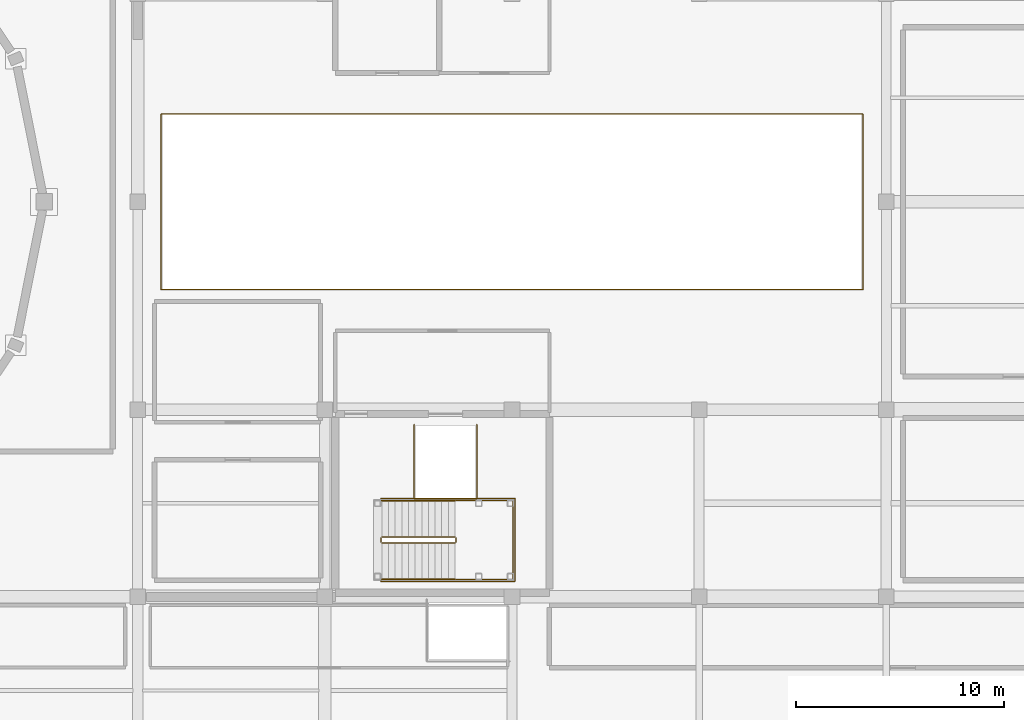
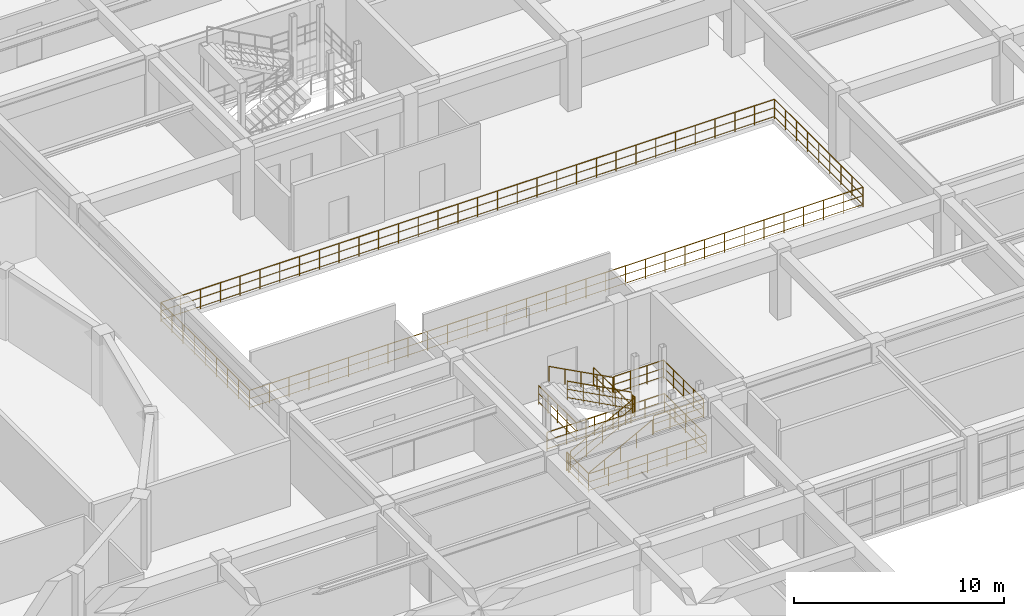
# One storey, part 125 of 130: 10 railings.
"""IFC4 building model written with IfcOpenShell, lengths in metres."""

from ifc_helpers import new_model, si_unit, direction, frame, origin, origin_2d, place, context, subcontext, project, spatial, circle, extrude, material, type_object, element, save


model = new_model("IFC4")

# Units and contexts
model_context = context("Model", 3, precision=1e-05, world=origin(), true_north=direction((0.0, 1.0)))
body_context = subcontext(model_context, "Body", "Model", "MODEL_VIEW")
ifc_project = project(units=[si_unit("LENGTHUNIT", "METRE"), si_unit("AREAUNIT", "SQUARE_METRE"), si_unit("VOLUMEUNIT", "CUBIC_METRE"), si_unit("PLANEANGLEUNIT", "RADIAN"), si_unit("MASSUNIT", "GRAM", prefix="KILO")], contexts=[model_context])

# Site, building, storey
site_placement = place(None, origin())
site = spatial("IfcSite", under=ifc_project, at=site_placement, CompositionType="ELEMENT")
building_placement = place(site_placement, origin())
building = spatial("IfcBuilding", under=site, at=building_placement, Name="Miravela Opera House", CompositionType="ELEMENT")
storey_placement = place(building_placement, frame((0.0, 0.0, 9.52001953125)))
storey = spatial("IfcBuildingStorey", under=building, at=storey_placement, Name="L02", CompositionType="ELEMENT", Elevation=9.52001953125)

# Railings
ifc_material_1 = material(Name="Brushed bronze continuous stair handrail")
railing_type_1 = type_object("IfcRailingType", Name="ARC-RAIL-HAND-900", PredefinedType="HANDRAIL", material=ifc_material_1)
railing_1_placement = place(storey_placement, frame((110.739990234375, 37.85009765625, 0.169921875)))
element("IfcRailing", 1, at=railing_1_placement, inside=storey, type_object=railing_type_1, Name="L02 ST-04 stair handrail 1", PredefinedType="HANDRAIL", context=body_context, shape_type="SweptSolid", body=[
    extrude(circle(Radius=0.02392578125, at=origin_2d()), frame((0.0, 0.0, 0.8759765625), z_axis=(0.883104616746, 0.0, 0.469176124586), x_axis=(0.0, 1.0, 0.0)), (0.0, 0.0, 1.0), 3.98583984375),
    extrude(circle(Radius=0.02099609375, at=origin_2d()), origin(), (0.0, 0.0, 1.0), 0.851806640625),
    extrude(circle(Radius=0.02099609375, at=origin_2d()), frame((0.8798828125, 0.0, 0.467529296875)), (0.0, 0.0, 1.0), 0.851806640625),
    extrude(circle(Radius=0.02099609375, at=origin_2d()), frame((1.760009765625, 0.0, 0.93505859375)), (0.0, 0.0, 1.0), 0.851806640625),
    extrude(circle(Radius=0.02099609375, at=origin_2d()), frame((2.64013671875, 0.0, 1.402587890625)), (0.0, 0.0, 1.0), 0.851806640625),
    extrude(circle(Radius=0.02099609375, at=origin_2d()), frame((3.52001953125, 0.0, 1.8701171875)), (0.0, 0.0, 1.0), 0.851806640625),
])
railing_2_placement = place(storey_placement, frame((114.260009765625, 41.6298828125, 2.2099609375)))
element("IfcRailing", 2, at=railing_2_placement, inside=storey, type_object=railing_type_1, Name="L02 ST-04 stair handrail 2", PredefinedType="HANDRAIL", context=body_context, shape_type="SweptSolid", body=[
    extrude(circle(Radius=0.02392578125, at=origin_2d()), frame((0.0, 0.0, 0.8759765625), z_axis=(-0.883104616746, 0.0, 0.469176124586), x_axis=(0.0, -1.0, 0.0)), (0.0, 0.0, 1.0), 3.98583984375),
    extrude(circle(Radius=0.02099609375, at=origin_2d()), origin(), (0.0, 0.0, 1.0), 0.851806640625),
    extrude(circle(Radius=0.02099609375, at=origin_2d()), frame((-0.8798828125, 0.0, 0.467529296875)), (0.0, 0.0, 1.0), 0.851806640625),
    extrude(circle(Radius=0.02099609375, at=origin_2d()), frame((-1.760009765625, 0.0, 0.93505859375)), (0.0, 0.0, 1.0), 0.851806640625),
    extrude(circle(Radius=0.02099609375, at=origin_2d()), frame((-2.64013671875, 0.0, 1.402587890625)), (0.0, 0.0, 1.0), 0.851806640625),
    extrude(circle(Radius=0.02099609375, at=origin_2d()), frame((-3.52001953125, 0.0, 1.8701171875)), (0.0, 0.0, 1.0), 0.851806640625),
])
ifc_material_2 = material(Name="Galvanised steel fly-gallery safety guardrail", Category="steel")
railing_type_2 = type_object("IfcRailingType", Name="ARC-RAIL-STAGE-GUARD", PredefinedType="GUARDRAIL", material=ifc_material_2)
railing_3_placement = place(storey_placement, frame((100.122314453125, 51.780517578125, 0.0)))
element("IfcRailing", 3, at=railing_3_placement, inside=storey, type_object=railing_type_2, Name="L02 Void Perimeter Balustrade 0161", PredefinedType="GUARDRAIL", context=body_context, shape_type="SweptSolid", body=[
    extrude(circle(Radius=0.02392578125, at=origin_2d()), frame((0.0, 0.0, 1.1259765625), z_axis=(1.0, 0.0, 0.0), x_axis=(0.0, 1.0, 0.0)), (0.0, 0.0, 1.0), 33.75537109375),
    extrude(circle(Radius=0.01611328125, at=origin_2d()), frame((0.0, 0.0, 0.63232421875), z_axis=(1.0, 0.0, 0.0), x_axis=(0.0, 1.0, 0.0)), (0.0, 0.0, 1.0), 33.75537109375),
    extrude(circle(Radius=0.01611328125, at=origin_2d()), frame((0.0, 0.0, 0.1201171875), z_axis=(1.0, 0.0, 0.0), x_axis=(0.0, 1.0, 0.0)), (0.0, 0.0, 1.0), 33.75537109375),
    extrude(circle(Radius=0.02392578125, at=origin_2d()), frame((33.75537109375, 0.0, 1.1259765625), z_axis=(0.0, 1.0, 0.0), x_axis=(-1.0, 0.0, 0.0)), (0.0, 0.0, 1.0), 8.43896484375),
    extrude(circle(Radius=0.01611328125, at=origin_2d()), frame((33.75537109375, 0.0, 0.63232421875), z_axis=(0.0, 1.0, 0.0), x_axis=(-1.0, 0.0, 0.0)), (0.0, 0.0, 1.0), 8.43896484375),
    extrude(circle(Radius=0.01611328125, at=origin_2d()), frame((33.75537109375, 0.0, 0.1201171875), z_axis=(0.0, 1.0, 0.0), x_axis=(-1.0, 0.0, 0.0)), (0.0, 0.0, 1.0), 8.43896484375),
    extrude(circle(Radius=0.02392578125, at=origin_2d()), frame((33.75537109375, 8.43896484375, 1.1259765625), z_axis=(-1.0, 0.0, 0.0), x_axis=(0.0, -1.0, 0.0)), (0.0, 0.0, 1.0), 33.75537109375),
    extrude(circle(Radius=0.01611328125, at=origin_2d()), frame((33.75537109375, 8.43896484375, 0.63232421875), z_axis=(-1.0, 0.0, 0.0), x_axis=(0.0, -1.0, 0.0)), (0.0, 0.0, 1.0), 33.75537109375),
    extrude(circle(Radius=0.01611328125, at=origin_2d()), frame((33.75537109375, 8.43896484375, 0.1201171875), z_axis=(-1.0, 0.0, 0.0), x_axis=(0.0, -1.0, 0.0)), (0.0, 0.0, 1.0), 33.75537109375),
    extrude(circle(Radius=0.02392578125, at=origin_2d()), frame((0.0, 8.43896484375, 1.1259765625), z_axis=(0.0, -1.0, 0.0), x_axis=(1.0, 0.0, 0.0)), (0.0, 0.0, 1.0), 8.43896484375),
    extrude(circle(Radius=0.01611328125, at=origin_2d()), frame((0.0, 8.43896484375, 0.63232421875), z_axis=(0.0, -1.0, 0.0), x_axis=(1.0, 0.0, 0.0)), (0.0, 0.0, 1.0), 8.43896484375),
    extrude(circle(Radius=0.01611328125, at=origin_2d()), frame((0.0, 8.43896484375, 0.1201171875), z_axis=(0.0, -1.0, 0.0), x_axis=(1.0, 0.0, 0.0)), (0.0, 0.0, 1.0), 8.43896484375),
    extrude(circle(Radius=0.02099609375, at=origin_2d()), origin(), (0.0, 0.0, 1.0), 1.101806640625),
    extrude(circle(Radius=0.02099609375, at=origin_2d()), frame((1.0888671875, 0.0, 0.0)), (0.0, 0.0, 1.0), 1.101806640625),
    extrude(circle(Radius=0.02099609375, at=origin_2d()), frame((2.177734375, 0.0, 0.0)), (0.0, 0.0, 1.0), 1.101806640625),
    extrude(circle(Radius=0.02099609375, at=origin_2d()), frame((3.2666015625, 0.0, 0.0)), (0.0, 0.0, 1.0), 1.101806640625),
    extrude(circle(Radius=0.02099609375, at=origin_2d()), frame((4.35546875, 0.0, 0.0)), (0.0, 0.0, 1.0), 1.101806640625),
    extrude(circle(Radius=0.02099609375, at=origin_2d()), frame((5.4443359375, 0.0, 0.0)), (0.0, 0.0, 1.0), 1.101806640625),
    extrude(circle(Radius=0.02099609375, at=origin_2d()), frame((6.533203125, 0.0, 0.0)), (0.0, 0.0, 1.0), 1.101806640625),
    extrude(circle(Radius=0.02099609375, at=origin_2d()), frame((7.6220703125, 0.0, 0.0)), (0.0, 0.0, 1.0), 1.101806640625),
    extrude(circle(Radius=0.02099609375, at=origin_2d()), frame((8.711181640625, 0.0, 0.0)), (0.0, 0.0, 1.0), 1.101806640625),
    extrude(circle(Radius=0.02099609375, at=origin_2d()), frame((9.800048828125, 0.0, 0.0)), (0.0, 0.0, 1.0), 1.101806640625),
    extrude(circle(Radius=0.02099609375, at=origin_2d()), frame((10.888916015625, 0.0, 0.0)), (0.0, 0.0, 1.0), 1.101806640625),
    extrude(circle(Radius=0.02099609375, at=origin_2d()), frame((11.977783203125, 0.0, 0.0)), (0.0, 0.0, 1.0), 1.101806640625),
    extrude(circle(Radius=0.02099609375, at=origin_2d()), frame((13.066650390625, 0.0, 0.0)), (0.0, 0.0, 1.0), 1.101806640625),
    extrude(circle(Radius=0.02099609375, at=origin_2d()), frame((14.155517578125, 0.0, 0.0)), (0.0, 0.0, 1.0), 1.101806640625),
    extrude(circle(Radius=0.02099609375, at=origin_2d()), frame((15.244384765625, 0.0, 0.0)), (0.0, 0.0, 1.0), 1.101806640625),
    extrude(circle(Radius=0.02099609375, at=origin_2d()), frame((16.333251953125, 0.0, 0.0)), (0.0, 0.0, 1.0), 1.101806640625),
    extrude(circle(Radius=0.02099609375, at=origin_2d()), frame((17.422119140625, 0.0, 0.0)), (0.0, 0.0, 1.0), 1.101806640625),
    extrude(circle(Radius=0.02099609375, at=origin_2d()), frame((18.510986328125, 0.0, 0.0)), (0.0, 0.0, 1.0), 1.101806640625),
    extrude(circle(Radius=0.02099609375, at=origin_2d()), frame((19.599853515625, 0.0, 0.0)), (0.0, 0.0, 1.0), 1.101806640625),
    extrude(circle(Radius=0.02099609375, at=origin_2d()), frame((20.688720703125, 0.0, 0.0)), (0.0, 0.0, 1.0), 1.101806640625),
    extrude(circle(Radius=0.02099609375, at=origin_2d()), frame((21.777587890625, 0.0, 0.0)), (0.0, 0.0, 1.0), 1.101806640625),
    extrude(circle(Radius=0.02099609375, at=origin_2d()), frame((22.866455078125, 0.0, 0.0)), (0.0, 0.0, 1.0), 1.101806640625),
    extrude(circle(Radius=0.02099609375, at=origin_2d()), frame((23.955322265625, 0.0, 0.0)), (0.0, 0.0, 1.0), 1.101806640625),
    extrude(circle(Radius=0.02099609375, at=origin_2d()), frame((25.044189453125, 0.0, 0.0)), (0.0, 0.0, 1.0), 1.101806640625),
    extrude(circle(Radius=0.02099609375, at=origin_2d()), frame((26.13330078125, 0.0, 0.0)), (0.0, 0.0, 1.0), 1.101806640625),
    extrude(circle(Radius=0.02099609375, at=origin_2d()), frame((27.22216796875, 0.0, 0.0)), (0.0, 0.0, 1.0), 1.101806640625),
    extrude(circle(Radius=0.02099609375, at=origin_2d()), frame((28.31103515625, 0.0, 0.0)), (0.0, 0.0, 1.0), 1.101806640625),
    extrude(circle(Radius=0.02099609375, at=origin_2d()), frame((29.39990234375, 0.0, 0.0)), (0.0, 0.0, 1.0), 1.101806640625),
    extrude(circle(Radius=0.02099609375, at=origin_2d()), frame((30.48876953125, 0.0, 0.0)), (0.0, 0.0, 1.0), 1.101806640625),
    extrude(circle(Radius=0.02099609375, at=origin_2d()), frame((31.57763671875, 0.0, 0.0)), (0.0, 0.0, 1.0), 1.101806640625),
    extrude(circle(Radius=0.02099609375, at=origin_2d()), frame((32.66650390625, 0.0, 0.0)), (0.0, 0.0, 1.0), 1.101806640625),
    extrude(circle(Radius=0.02099609375, at=origin_2d()), frame((33.75537109375, 0.0, 0.0)), (0.0, 0.0, 1.0), 1.101806640625),
    extrude(circle(Radius=0.02099609375, at=origin_2d()), frame((33.75537109375, 1.054931640625, 0.0)), (0.0, 0.0, 1.0), 1.101806640625),
    extrude(circle(Radius=0.02099609375, at=origin_2d()), frame((33.75537109375, 2.10986328125, 0.0)), (0.0, 0.0, 1.0), 1.101806640625),
    extrude(circle(Radius=0.02099609375, at=origin_2d()), frame((33.75537109375, 3.16455078125, 0.0)), (0.0, 0.0, 1.0), 1.101806640625),
    extrude(circle(Radius=0.02099609375, at=origin_2d()), frame((33.75537109375, 4.219482421875, 0.0)), (0.0, 0.0, 1.0), 1.101806640625),
    extrude(circle(Radius=0.02099609375, at=origin_2d()), frame((33.75537109375, 5.2744140625, 0.0)), (0.0, 0.0, 1.0), 1.101806640625),
    extrude(circle(Radius=0.02099609375, at=origin_2d()), frame((33.75537109375, 6.3291015625, 0.0)), (0.0, 0.0, 1.0), 1.101806640625),
    extrude(circle(Radius=0.02099609375, at=origin_2d()), frame((33.75537109375, 7.384033203125, 0.0)), (0.0, 0.0, 1.0), 1.101806640625),
    extrude(circle(Radius=0.02099609375, at=origin_2d()), frame((33.75537109375, 8.43896484375, 0.0)), (0.0, 0.0, 1.0), 1.101806640625),
    extrude(circle(Radius=0.02099609375, at=origin_2d()), frame((32.66650390625, 8.43896484375, 0.0)), (0.0, 0.0, 1.0), 1.101806640625),
    extrude(circle(Radius=0.02099609375, at=origin_2d()), frame((31.57763671875, 8.43896484375, 0.0)), (0.0, 0.0, 1.0), 1.101806640625),
    extrude(circle(Radius=0.02099609375, at=origin_2d()), frame((30.48876953125, 8.43896484375, 0.0)), (0.0, 0.0, 1.0), 1.101806640625),
    extrude(circle(Radius=0.02099609375, at=origin_2d()), frame((29.39990234375, 8.43896484375, 0.0)), (0.0, 0.0, 1.0), 1.101806640625),
    extrude(circle(Radius=0.02099609375, at=origin_2d()), frame((28.31103515625, 8.43896484375, 0.0)), (0.0, 0.0, 1.0), 1.101806640625),
    extrude(circle(Radius=0.02099609375, at=origin_2d()), frame((27.22216796875, 8.43896484375, 0.0)), (0.0, 0.0, 1.0), 1.101806640625),
    extrude(circle(Radius=0.02099609375, at=origin_2d()), frame((26.13330078125, 8.43896484375, 0.0)), (0.0, 0.0, 1.0), 1.101806640625),
    extrude(circle(Radius=0.02099609375, at=origin_2d()), frame((25.044189453125, 8.43896484375, 0.0)), (0.0, 0.0, 1.0), 1.101806640625),
    extrude(circle(Radius=0.02099609375, at=origin_2d()), frame((23.955322265625, 8.43896484375, 0.0)), (0.0, 0.0, 1.0), 1.101806640625),
    extrude(circle(Radius=0.02099609375, at=origin_2d()), frame((22.866455078125, 8.43896484375, 0.0)), (0.0, 0.0, 1.0), 1.101806640625),
    extrude(circle(Radius=0.02099609375, at=origin_2d()), frame((21.777587890625, 8.43896484375, 0.0)), (0.0, 0.0, 1.0), 1.101806640625),
    extrude(circle(Radius=0.02099609375, at=origin_2d()), frame((20.688720703125, 8.43896484375, 0.0)), (0.0, 0.0, 1.0), 1.101806640625),
    extrude(circle(Radius=0.02099609375, at=origin_2d()), frame((19.599853515625, 8.43896484375, 0.0)), (0.0, 0.0, 1.0), 1.101806640625),
    extrude(circle(Radius=0.02099609375, at=origin_2d()), frame((18.510986328125, 8.43896484375, 0.0)), (0.0, 0.0, 1.0), 1.101806640625),
    extrude(circle(Radius=0.02099609375, at=origin_2d()), frame((17.422119140625, 8.43896484375, 0.0)), (0.0, 0.0, 1.0), 1.101806640625),
    extrude(circle(Radius=0.02099609375, at=origin_2d()), frame((16.333251953125, 8.43896484375, 0.0)), (0.0, 0.0, 1.0), 1.101806640625),
    extrude(circle(Radius=0.02099609375, at=origin_2d()), frame((15.244384765625, 8.43896484375, 0.0)), (0.0, 0.0, 1.0), 1.101806640625),
    extrude(circle(Radius=0.02099609375, at=origin_2d()), frame((14.155517578125, 8.43896484375, 0.0)), (0.0, 0.0, 1.0), 1.101806640625),
    extrude(circle(Radius=0.02099609375, at=origin_2d()), frame((13.066650390625, 8.43896484375, 0.0)), (0.0, 0.0, 1.0), 1.101806640625),
    extrude(circle(Radius=0.02099609375, at=origin_2d()), frame((11.977783203125, 8.43896484375, 0.0)), (0.0, 0.0, 1.0), 1.101806640625),
    extrude(circle(Radius=0.02099609375, at=origin_2d()), frame((10.888916015625, 8.43896484375, 0.0)), (0.0, 0.0, 1.0), 1.101806640625),
    extrude(circle(Radius=0.02099609375, at=origin_2d()), frame((9.800048828125, 8.43896484375, 0.0)), (0.0, 0.0, 1.0), 1.101806640625),
    extrude(circle(Radius=0.02099609375, at=origin_2d()), frame((8.711181640625, 8.43896484375, 0.0)), (0.0, 0.0, 1.0), 1.101806640625),
    extrude(circle(Radius=0.02099609375, at=origin_2d()), frame((7.6220703125, 8.43896484375, 0.0)), (0.0, 0.0, 1.0), 1.101806640625),
    extrude(circle(Radius=0.02099609375, at=origin_2d()), frame((6.533203125, 8.43896484375, 0.0)), (0.0, 0.0, 1.0), 1.101806640625),
    extrude(circle(Radius=0.02099609375, at=origin_2d()), frame((5.4443359375, 8.43896484375, 0.0)), (0.0, 0.0, 1.0), 1.101806640625),
    extrude(circle(Radius=0.02099609375, at=origin_2d()), frame((4.35546875, 8.43896484375, 0.0)), (0.0, 0.0, 1.0), 1.101806640625),
    extrude(circle(Radius=0.02099609375, at=origin_2d()), frame((3.2666015625, 8.43896484375, 0.0)), (0.0, 0.0, 1.0), 1.101806640625),
    extrude(circle(Radius=0.02099609375, at=origin_2d()), frame((2.177734375, 8.43896484375, 0.0)), (0.0, 0.0, 1.0), 1.101806640625),
    extrude(circle(Radius=0.02099609375, at=origin_2d()), frame((1.0888671875, 8.43896484375, 0.0)), (0.0, 0.0, 1.0), 1.101806640625),
    extrude(circle(Radius=0.02099609375, at=origin_2d()), frame((0.0, 8.43896484375, 0.0)), (0.0, 0.0, 1.0), 1.101806640625),
    extrude(circle(Radius=0.02099609375, at=origin_2d()), frame((0.0, 7.384033203125, 0.0)), (0.0, 0.0, 1.0), 1.101806640625),
    extrude(circle(Radius=0.02099609375, at=origin_2d()), frame((0.0, 6.3291015625, 0.0)), (0.0, 0.0, 1.0), 1.101806640625),
    extrude(circle(Radius=0.02099609375, at=origin_2d()), frame((0.0, 5.2744140625, 0.0)), (0.0, 0.0, 1.0), 1.101806640625),
    extrude(circle(Radius=0.02099609375, at=origin_2d()), frame((0.0, 4.219482421875, 0.0)), (0.0, 0.0, 1.0), 1.101806640625),
    extrude(circle(Radius=0.02099609375, at=origin_2d()), frame((0.0, 3.16455078125, 0.0)), (0.0, 0.0, 1.0), 1.101806640625),
    extrude(circle(Radius=0.02099609375, at=origin_2d()), frame((0.0, 2.10986328125, 0.0)), (0.0, 0.0, 1.0), 1.101806640625),
    extrude(circle(Radius=0.02099609375, at=origin_2d()), frame((0.0, 1.054931640625, 0.0)), (0.0, 0.0, 1.0), 1.101806640625),
])
ifc_material_3 = material(Name="Painted wrought-iron stair guardrail")
railing_type_3 = type_object("IfcRailingType", Name="ARC-RAIL-STAIR-GUARD", PredefinedType="GUARDRAIL", material=ifc_material_3)
railing_4_placement = place(storey_placement, frame((110.739990234375, 39.590087890625, 0.169921875)))
element("IfcRailing", 4, at=railing_4_placement, inside=storey, type_object=railing_type_3, Name="L02 ST-04 stair guard 1", PredefinedType="GUARDRAIL", context=body_context, shape_type="SweptSolid", body=[
    extrude(circle(Radius=0.02392578125, at=origin_2d()), frame((0.0, 0.0, 1.076171875), z_axis=(0.883104616746, 0.0, 0.469176124586), x_axis=(0.0, 1.0, 0.0)), (0.0, 0.0, 1.0), 3.98583984375),
    extrude(circle(Radius=0.01611328125, at=origin_2d()), frame((0.0, 0.0, 0.60498046875), z_axis=(0.883104616746, 0.0, 0.469176124586), x_axis=(0.0, 1.0, 0.0)), (0.0, 0.0, 1.0), 3.98583984375),
    extrude(circle(Radius=0.01611328125, at=origin_2d()), frame((0.0, 0.0, 0.1201171875), z_axis=(0.883104616746, 0.0, 0.469176124586), x_axis=(0.0, 1.0, 0.0)), (0.0, 0.0, 1.0), 3.98583984375),
    extrude(circle(Radius=0.02099609375, at=origin_2d()), origin(), (0.0, 0.0, 1.0), 1.052001953125),
    extrude(circle(Radius=0.02099609375, at=origin_2d()), frame((0.8798828125, 0.0, 0.467529296875)), (0.0, 0.0, 1.0), 1.052001953125),
    extrude(circle(Radius=0.02099609375, at=origin_2d()), frame((1.760009765625, 0.0, 0.93505859375)), (0.0, 0.0, 1.0), 1.052001953125),
    extrude(circle(Radius=0.02099609375, at=origin_2d()), frame((2.64013671875, 0.0, 1.402587890625)), (0.0, 0.0, 1.0), 1.052001953125),
    extrude(circle(Radius=0.02099609375, at=origin_2d()), frame((3.52001953125, 0.0, 1.8701171875)), (0.0, 0.0, 1.0), 1.052001953125),
])
railing_5_placement = place(storey_placement, frame((114.31005859375, 39.639892578125, 2.0400390625)))
element("IfcRailing", 5, at=railing_5_placement, inside=storey, type_object=railing_type_3, Name="L02 ST-04 stair guard 2", PredefinedType="GUARDRAIL", context=body_context, shape_type="SweptSolid", body=[
    extrude(circle(Radius=0.02392578125, at=origin_2d()), frame((0.0, 0.0, 1.076171875), z_axis=(0.0, 1.0, 0.0), x_axis=(-1.0, 0.0, 0.0)), (0.0, 0.0, 1.0), 0.2001953125),
    extrude(circle(Radius=0.01611328125, at=origin_2d()), frame((0.0, 0.0, 0.60498046875), z_axis=(0.0, 1.0, 0.0), x_axis=(-1.0, 0.0, 0.0)), (0.0, 0.0, 1.0), 0.2001953125),
    extrude(circle(Radius=0.01611328125, at=origin_2d()), frame((0.0, 0.0, 0.1201171875), z_axis=(0.0, 1.0, 0.0), x_axis=(-1.0, 0.0, 0.0)), (0.0, 0.0, 1.0), 0.2001953125),
    extrude(circle(Radius=0.02099609375, at=origin_2d()), origin(), (0.0, 0.0, 1.0), 1.052001953125),
    extrude(circle(Radius=0.02099609375, at=origin_2d()), frame((0.0, 0.2001953125, 0.0)), (0.0, 0.0, 1.0), 1.052001953125),
])
railing_6_placement = place(storey_placement, frame((114.260009765625, 39.889892578125, 2.2099609375)))
element("IfcRailing", 6, at=railing_6_placement, inside=storey, type_object=railing_type_3, Name="L02 ST-04 stair guard 3", PredefinedType="GUARDRAIL", context=body_context, shape_type="SweptSolid", body=[
    extrude(circle(Radius=0.02392578125, at=origin_2d()), frame((0.0, 0.0, 1.076171875), z_axis=(-0.883104616746, 0.0, 0.469176124586), x_axis=(0.0, -1.0, 0.0)), (0.0, 0.0, 1.0), 3.98583984375),
    extrude(circle(Radius=0.01611328125, at=origin_2d()), frame((0.0, 0.0, 0.60498046875), z_axis=(-0.883104616746, 0.0, 0.469176124586), x_axis=(0.0, -1.0, 0.0)), (0.0, 0.0, 1.0), 3.98583984375),
    extrude(circle(Radius=0.01611328125, at=origin_2d()), frame((0.0, 0.0, 0.1201171875), z_axis=(-0.883104616746, 0.0, 0.469176124586), x_axis=(0.0, -1.0, 0.0)), (0.0, 0.0, 1.0), 3.98583984375),
    extrude(circle(Radius=0.02099609375, at=origin_2d()), origin(), (0.0, 0.0, 1.0), 1.052001953125),
    extrude(circle(Radius=0.02099609375, at=origin_2d()), frame((-0.8798828125, 0.0, 0.467529296875)), (0.0, 0.0, 1.0), 1.052001953125),
    extrude(circle(Radius=0.02099609375, at=origin_2d()), frame((-1.760009765625, 0.0, 0.93505859375)), (0.0, 0.0, 1.0), 1.052001953125),
    extrude(circle(Radius=0.02099609375, at=origin_2d()), frame((-2.64013671875, 0.0, 1.402587890625)), (0.0, 0.0, 1.0), 1.052001953125),
    extrude(circle(Radius=0.02099609375, at=origin_2d()), frame((-3.52001953125, 0.0, 1.8701171875)), (0.0, 0.0, 1.0), 1.052001953125),
])
railing_7_placement = place(storey_placement, frame((110.68994140625, 39.639892578125, 0.0)))
element("IfcRailing", 7, at=railing_7_placement, inside=storey, type_object=railing_type_3, Name="L02 ST-04 stair guard 4", PredefinedType="GUARDRAIL", context=body_context, shape_type="SweptSolid", body=[
    extrude(circle(Radius=0.02392578125, at=origin_2d()), frame((0.0, 0.0, 1.076171875), z_axis=(0.0, 1.0, 0.0), x_axis=(-1.0, 0.0, 0.0)), (0.0, 0.0, 1.0), 0.2001953125),
    extrude(circle(Radius=0.01611328125, at=origin_2d()), frame((0.0, 0.0, 0.60498046875), z_axis=(0.0, 1.0, 0.0), x_axis=(-1.0, 0.0, 0.0)), (0.0, 0.0, 1.0), 0.2001953125),
    extrude(circle(Radius=0.01611328125, at=origin_2d()), frame((0.0, 0.0, 0.1201171875), z_axis=(0.0, 1.0, 0.0), x_axis=(-1.0, 0.0, 0.0)), (0.0, 0.0, 1.0), 0.2001953125),
    extrude(circle(Radius=0.02099609375, at=origin_2d()), origin(), (0.0, 0.0, 1.0), 1.052001953125),
    extrude(circle(Radius=0.02099609375, at=origin_2d()), frame((0.0, 0.2001953125, 0.0)), (0.0, 0.0, 1.0), 1.052001953125),
])
railing_8_placement = place(storey_placement, frame((114.31005859375, 37.85009765625, 2.0400390625)))
element("IfcRailing", 8, at=railing_8_placement, inside=storey, type_object=railing_type_3, Name="Stair ST-04 Half-Landing Perimeter Guard (L02) 0040", PredefinedType="GUARDRAIL", context=body_context, shape_type="SweptSolid", body=[
    extrude(circle(Radius=0.02392578125, at=origin_2d()), frame((0.0, 0.0, 1.076171875), z_axis=(1.0, 0.0, 0.0), x_axis=(0.0, 1.0, 0.0)), (0.0, 0.0, 1.0), 2.739990234375),
    extrude(circle(Radius=0.01611328125, at=origin_2d()), frame((0.0, 0.0, 0.60498046875), z_axis=(1.0, 0.0, 0.0), x_axis=(0.0, 1.0, 0.0)), (0.0, 0.0, 1.0), 2.739990234375),
    extrude(circle(Radius=0.01611328125, at=origin_2d()), frame((0.0, 0.0, 0.1201171875), z_axis=(1.0, 0.0, 0.0), x_axis=(0.0, 1.0, 0.0)), (0.0, 0.0, 1.0), 2.739990234375),
    extrude(circle(Radius=0.02392578125, at=origin_2d()), frame((2.739990234375, 0.0, 1.076171875), z_axis=(0.0, 1.0, 0.0), x_axis=(-1.0, 0.0, 0.0)), (0.0, 0.0, 1.0), 3.77978515625),
    extrude(circle(Radius=0.01611328125, at=origin_2d()), frame((2.739990234375, 0.0, 0.60498046875), z_axis=(0.0, 1.0, 0.0), x_axis=(-1.0, 0.0, 0.0)), (0.0, 0.0, 1.0), 3.77978515625),
    extrude(circle(Radius=0.01611328125, at=origin_2d()), frame((2.739990234375, 0.0, 0.1201171875), z_axis=(0.0, 1.0, 0.0), x_axis=(-1.0, 0.0, 0.0)), (0.0, 0.0, 1.0), 3.77978515625),
    extrude(circle(Radius=0.02392578125, at=origin_2d()), frame((2.739990234375, 3.77978515625, 1.076171875), z_axis=(-1.0, 0.0, 0.0), x_axis=(0.0, -1.0, 0.0)), (0.0, 0.0, 1.0), 2.739990234375),
    extrude(circle(Radius=0.01611328125, at=origin_2d()), frame((2.739990234375, 3.77978515625, 0.60498046875), z_axis=(-1.0, 0.0, 0.0), x_axis=(0.0, -1.0, 0.0)), (0.0, 0.0, 1.0), 2.739990234375),
    extrude(circle(Radius=0.01611328125, at=origin_2d()), frame((2.739990234375, 3.77978515625, 0.1201171875), z_axis=(-1.0, 0.0, 0.0), x_axis=(0.0, -1.0, 0.0)), (0.0, 0.0, 1.0), 2.739990234375),
    extrude(circle(Radius=0.02099609375, at=origin_2d()), origin(), (0.0, 0.0, 1.0), 1.052001953125),
    extrude(circle(Radius=0.02099609375, at=origin_2d()), frame((0.913330078125, 0.0, 0.0)), (0.0, 0.0, 1.0), 1.052001953125),
    extrude(circle(Radius=0.02099609375, at=origin_2d()), frame((1.82666015625, 0.0, 0.0)), (0.0, 0.0, 1.0), 1.052001953125),
    extrude(circle(Radius=0.02099609375, at=origin_2d()), frame((2.739990234375, 0.0, 0.0)), (0.0, 0.0, 1.0), 1.052001953125),
    extrude(circle(Radius=0.02099609375, at=origin_2d()), frame((2.739990234375, 0.94482421875, 0.0)), (0.0, 0.0, 1.0), 1.052001953125),
    extrude(circle(Radius=0.02099609375, at=origin_2d()), frame((2.739990234375, 1.889892578125, 0.0)), (0.0, 0.0, 1.0), 1.052001953125),
    extrude(circle(Radius=0.02099609375, at=origin_2d()), frame((2.739990234375, 2.8349609375, 0.0)), (0.0, 0.0, 1.0), 1.052001953125),
    extrude(circle(Radius=0.02099609375, at=origin_2d()), frame((2.739990234375, 3.77978515625, 0.0)), (0.0, 0.0, 1.0), 1.052001953125),
    extrude(circle(Radius=0.02099609375, at=origin_2d()), frame((1.82666015625, 3.77978515625, 0.0)), (0.0, 0.0, 1.0), 1.052001953125),
    extrude(circle(Radius=0.02099609375, at=origin_2d()), frame((0.913330078125, 3.77978515625, 0.0)), (0.0, 0.0, 1.0), 1.052001953125),
    extrude(circle(Radius=0.02099609375, at=origin_2d()), frame((0.0, 3.77978515625, 0.0)), (0.0, 0.0, 1.0), 1.052001953125),
])
railing_9_placement = place(storey_placement, frame((110.68994140625, 39.669921875, 0.0)))
element("IfcRailing", 9, at=railing_9_placement, inside=storey, type_object=railing_type_3, Name="Stair ST-04 Well Slab Opening Guard (L02) 0045", PredefinedType="GUARDRAIL", context=body_context, shape_type="SweptSolid", body=[
    extrude(circle(Radius=0.02392578125, at=origin_2d()), frame((0.0, 0.0, 1.076171875), z_axis=(0.0, -1.0, 0.0), x_axis=(1.0, 0.0, 0.0)), (0.0, 0.0, 1.0), 1.919921875),
    extrude(circle(Radius=0.01611328125, at=origin_2d()), frame((0.0, 0.0, 0.60498046875), z_axis=(0.0, -1.0, 0.0), x_axis=(1.0, 0.0, 0.0)), (0.0, 0.0, 1.0), 1.919921875),
    extrude(circle(Radius=0.01611328125, at=origin_2d()), frame((0.0, 0.0, 0.1201171875), z_axis=(0.0, -1.0, 0.0), x_axis=(1.0, 0.0, 0.0)), (0.0, 0.0, 1.0), 1.919921875),
    extrude(circle(Radius=0.02392578125, at=origin_2d()), frame((0.0, -1.919921875, 1.076171875), z_axis=(1.0, 0.0, 0.0), x_axis=(0.0, 1.0, 0.0)), (0.0, 0.0, 1.0), 6.4599609375),
    extrude(circle(Radius=0.01611328125, at=origin_2d()), frame((0.0, -1.919921875, 0.60498046875), z_axis=(1.0, 0.0, 0.0), x_axis=(0.0, 1.0, 0.0)), (0.0, 0.0, 1.0), 6.4599609375),
    extrude(circle(Radius=0.01611328125, at=origin_2d()), frame((0.0, -1.919921875, 0.1201171875), z_axis=(1.0, 0.0, 0.0), x_axis=(0.0, 1.0, 0.0)), (0.0, 0.0, 1.0), 6.4599609375),
    extrude(circle(Radius=0.02392578125, at=origin_2d()), frame((6.4599609375, -1.919921875, 1.076171875), z_axis=(0.0, 1.0, 0.0), x_axis=(-1.0, 0.0, 0.0)), (0.0, 0.0, 1.0), 3.97998046875),
    extrude(circle(Radius=0.01611328125, at=origin_2d()), frame((6.4599609375, -1.919921875, 0.60498046875), z_axis=(0.0, 1.0, 0.0), x_axis=(-1.0, 0.0, 0.0)), (0.0, 0.0, 1.0), 3.97998046875),
    extrude(circle(Radius=0.01611328125, at=origin_2d()), frame((6.4599609375, -1.919921875, 0.1201171875), z_axis=(0.0, 1.0, 0.0), x_axis=(-1.0, 0.0, 0.0)), (0.0, 0.0, 1.0), 3.97998046875),
    extrude(circle(Radius=0.02392578125, at=origin_2d()), frame((6.4599609375, 2.06005859375, 1.076171875), z_axis=(-1.0, 0.0, 0.0), x_axis=(0.0, -1.0, 0.0)), (0.0, 0.0, 1.0), 6.4599609375),
    extrude(circle(Radius=0.01611328125, at=origin_2d()), frame((6.4599609375, 2.06005859375, 0.60498046875), z_axis=(-1.0, 0.0, 0.0), x_axis=(0.0, -1.0, 0.0)), (0.0, 0.0, 1.0), 6.4599609375),
    extrude(circle(Radius=0.01611328125, at=origin_2d()), frame((6.4599609375, 2.06005859375, 0.1201171875), z_axis=(-1.0, 0.0, 0.0), x_axis=(0.0, -1.0, 0.0)), (0.0, 0.0, 1.0), 6.4599609375),
    extrude(circle(Radius=0.02099609375, at=origin_2d()), origin(), (0.0, 0.0, 1.0), 1.052001953125),
    extrude(circle(Radius=0.02099609375, at=origin_2d()), frame((0.0, -0.9599609375, 0.0)), (0.0, 0.0, 1.0), 1.052001953125),
    extrude(circle(Radius=0.02099609375, at=origin_2d()), frame((0.0, -1.919921875, 0.0)), (0.0, 0.0, 1.0), 1.052001953125),
    extrude(circle(Radius=0.02099609375, at=origin_2d()), frame((1.07666015625, -1.919921875, 0.0)), (0.0, 0.0, 1.0), 1.052001953125),
    extrude(circle(Radius=0.02099609375, at=origin_2d()), frame((2.1533203125, -1.919921875, 0.0)), (0.0, 0.0, 1.0), 1.052001953125),
    extrude(circle(Radius=0.02099609375, at=origin_2d()), frame((3.22998046875, -1.919921875, 0.0)), (0.0, 0.0, 1.0), 1.052001953125),
    extrude(circle(Radius=0.02099609375, at=origin_2d()), frame((4.306640625, -1.919921875, 0.0)), (0.0, 0.0, 1.0), 1.052001953125),
    extrude(circle(Radius=0.02099609375, at=origin_2d()), frame((5.38330078125, -1.919921875, 0.0)), (0.0, 0.0, 1.0), 1.052001953125),
    extrude(circle(Radius=0.02099609375, at=origin_2d()), frame((6.4599609375, -1.919921875, 0.0)), (0.0, 0.0, 1.0), 1.052001953125),
    extrude(circle(Radius=0.02099609375, at=origin_2d()), frame((6.4599609375, -0.9248046875, 0.0)), (0.0, 0.0, 1.0), 1.052001953125),
    extrude(circle(Radius=0.02099609375, at=origin_2d()), frame((6.4599609375, 0.070068359375, 0.0)), (0.0, 0.0, 1.0), 1.052001953125),
    extrude(circle(Radius=0.02099609375, at=origin_2d()), frame((6.4599609375, 1.06494140625, 0.0)), (0.0, 0.0, 1.0), 1.052001953125),
    extrude(circle(Radius=0.02099609375, at=origin_2d()), frame((6.4599609375, 2.06005859375, 0.0)), (0.0, 0.0, 1.0), 1.052001953125),
    extrude(circle(Radius=0.02099609375, at=origin_2d()), frame((5.38330078125, 2.06005859375, 0.0)), (0.0, 0.0, 1.0), 1.052001953125),
    extrude(circle(Radius=0.02099609375, at=origin_2d()), frame((4.306640625, 2.06005859375, 0.0)), (0.0, 0.0, 1.0), 1.052001953125),
    extrude(circle(Radius=0.02099609375, at=origin_2d()), frame((3.22998046875, 2.06005859375, 0.0)), (0.0, 0.0, 1.0), 1.052001953125),
    extrude(circle(Radius=0.02099609375, at=origin_2d()), frame((2.1533203125, 2.06005859375, 0.0)), (0.0, 0.0, 1.0), 1.052001953125),
    extrude(circle(Radius=0.02099609375, at=origin_2d()), frame((1.07666015625, 2.06005859375, 0.0)), (0.0, 0.0, 1.0), 1.052001953125),
    extrude(circle(Radius=0.02099609375, at=origin_2d()), frame((0.0, 2.06005859375, 0.0)), (0.0, 0.0, 1.0), 1.052001953125),
])
railing_10_placement = place(storey_placement, frame((112.2900390625, 45.2900390625, 0.0)))
element("IfcRailing", 10, at=railing_10_placement, inside=storey, type_object=railing_type_3, Name="Lift FL-02 Hoistway Slab Opening Guard (L02) 0131", PredefinedType="GUARDRAIL", context=body_context, shape_type="SweptSolid", body=[
    extrude(circle(Radius=0.02392578125, at=origin_2d()), frame((0.0, 0.0, 1.076171875), z_axis=(0.0, -1.0, 0.0), x_axis=(1.0, 0.0, 0.0)), (0.0, 0.0, 1.0), 3.574951171875),
    extrude(circle(Radius=0.01611328125, at=origin_2d()), frame((0.0, 0.0, 0.60498046875), z_axis=(0.0, -1.0, 0.0), x_axis=(1.0, 0.0, 0.0)), (0.0, 0.0, 1.0), 3.574951171875),
    extrude(circle(Radius=0.01611328125, at=origin_2d()), frame((0.0, 0.0, 0.1201171875), z_axis=(0.0, -1.0, 0.0), x_axis=(1.0, 0.0, 0.0)), (0.0, 0.0, 1.0), 3.574951171875),
    extrude(circle(Radius=0.02392578125, at=origin_2d()), frame((0.0, -3.574951171875, 1.076171875), z_axis=(1.0, 0.0, 0.0), x_axis=(0.0, 1.0, 0.0)), (0.0, 0.0, 1.0), 3.02001953125),
    extrude(circle(Radius=0.01611328125, at=origin_2d()), frame((0.0, -3.574951171875, 0.60498046875), z_axis=(1.0, 0.0, 0.0), x_axis=(0.0, 1.0, 0.0)), (0.0, 0.0, 1.0), 3.02001953125),
    extrude(circle(Radius=0.01611328125, at=origin_2d()), frame((0.0, -3.574951171875, 0.1201171875), z_axis=(1.0, 0.0, 0.0), x_axis=(0.0, 1.0, 0.0)), (0.0, 0.0, 1.0), 3.02001953125),
    extrude(circle(Radius=0.02392578125, at=origin_2d()), frame((3.02001953125, -3.574951171875, 1.076171875), z_axis=(0.0, 1.0, 0.0), x_axis=(-1.0, 0.0, 0.0)), (0.0, 0.0, 1.0), 3.574951171875),
    extrude(circle(Radius=0.01611328125, at=origin_2d()), frame((3.02001953125, -3.574951171875, 0.60498046875), z_axis=(0.0, 1.0, 0.0), x_axis=(-1.0, 0.0, 0.0)), (0.0, 0.0, 1.0), 3.574951171875),
    extrude(circle(Radius=0.01611328125, at=origin_2d()), frame((3.02001953125, -3.574951171875, 0.1201171875), z_axis=(0.0, 1.0, 0.0), x_axis=(-1.0, 0.0, 0.0)), (0.0, 0.0, 1.0), 3.574951171875),
    extrude(circle(Radius=0.02099609375, at=origin_2d()), origin(), (0.0, 0.0, 1.0), 1.052001953125),
    extrude(circle(Radius=0.02099609375, at=origin_2d()), frame((0.0, -0.893798828125, 0.0)), (0.0, 0.0, 1.0), 1.052001953125),
    extrude(circle(Radius=0.02099609375, at=origin_2d()), frame((0.0, -1.78759765625, 0.0)), (0.0, 0.0, 1.0), 1.052001953125),
    extrude(circle(Radius=0.02099609375, at=origin_2d()), frame((0.0, -2.68115234375, 0.0)), (0.0, 0.0, 1.0), 1.052001953125),
    extrude(circle(Radius=0.02099609375, at=origin_2d()), frame((0.0, -3.574951171875, 0.0)), (0.0, 0.0, 1.0), 1.052001953125),
    extrude(circle(Radius=0.02099609375, at=origin_2d()), frame((1.006591796875, -3.574951171875, 0.0)), (0.0, 0.0, 1.0), 1.052001953125),
    extrude(circle(Radius=0.02099609375, at=origin_2d()), frame((2.013427734375, -3.574951171875, 0.0)), (0.0, 0.0, 1.0), 1.052001953125),
    extrude(circle(Radius=0.02099609375, at=origin_2d()), frame((3.02001953125, -3.574951171875, 0.0)), (0.0, 0.0, 1.0), 1.052001953125),
    extrude(circle(Radius=0.02099609375, at=origin_2d()), frame((3.02001953125, -2.68115234375, 0.0)), (0.0, 0.0, 1.0), 1.052001953125),
    extrude(circle(Radius=0.02099609375, at=origin_2d()), frame((3.02001953125, -1.78759765625, 0.0)), (0.0, 0.0, 1.0), 1.052001953125),
    extrude(circle(Radius=0.02099609375, at=origin_2d()), frame((3.02001953125, -0.893798828125, 0.0)), (0.0, 0.0, 1.0), 1.052001953125),
    extrude(circle(Radius=0.02099609375, at=origin_2d()), frame((3.02001953125, 0.0, 0.0)), (0.0, 0.0, 1.0), 1.052001953125),
])

save(model, "model.ifc")
